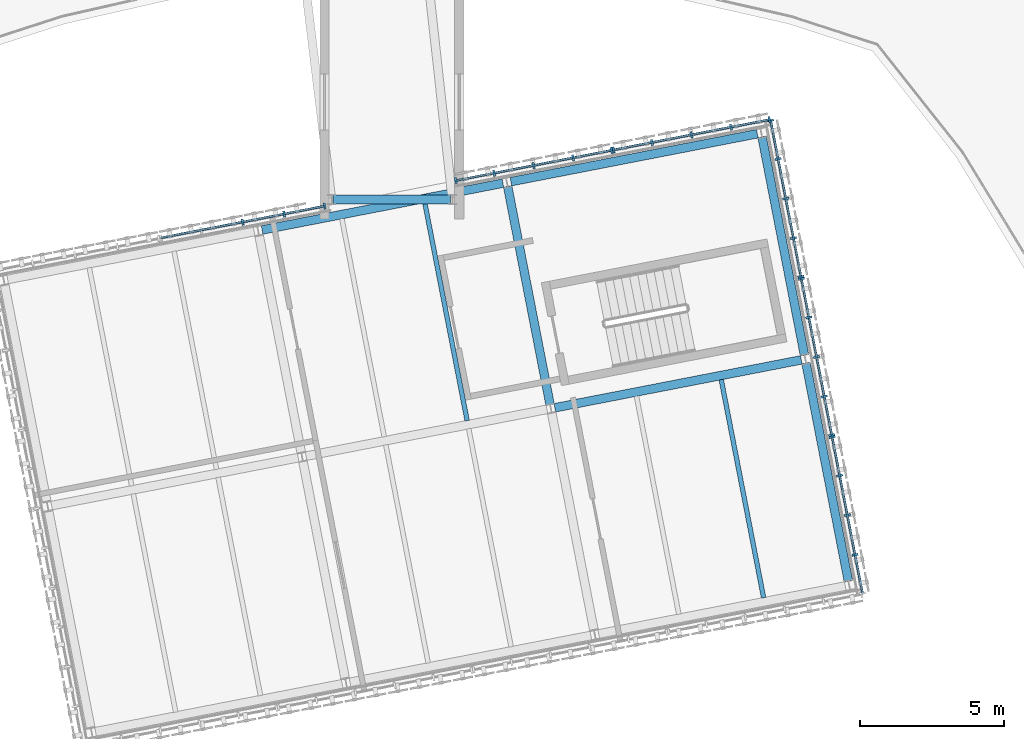
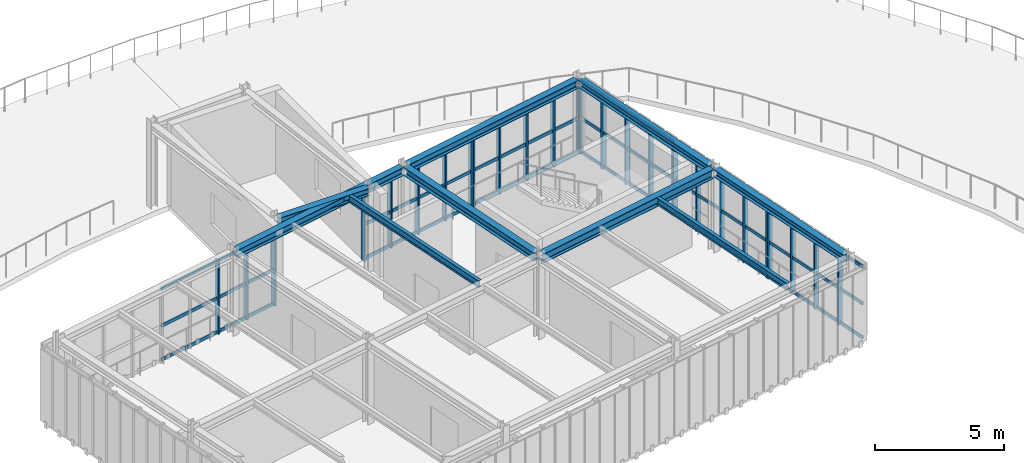
# One storey, part 23 of 59: 45 members, 9 beams, 6 elements without a shape of their own.
"""IFC4 building model written with IfcOpenShell, lengths in metres."""

from ifc_helpers import new_model, si_unit, direction, frame, origin, origin_2d, place, context, subcontext, project, spatial, rectangle, i_section, extrude, material, material_profile, profile_set, type_object, element, aggregate, save


model = new_model("IFC4")

# Units and contexts
model_context = context("Model", 3, precision=1e-05, world=origin(), true_north=direction((0.0, 1.0)))
body_context = subcontext(model_context, "Body", "Model", "MODEL_VIEW")
ifc_project = project(units=[si_unit("LENGTHUNIT", "METRE"), si_unit("AREAUNIT", "SQUARE_METRE"), si_unit("VOLUMEUNIT", "CUBIC_METRE"), si_unit("PLANEANGLEUNIT", "RADIAN"), si_unit("MASSUNIT", "GRAM", prefix="KILO")], contexts=[model_context])

# Site, building, storey
site_placement = place(None, origin())
site = spatial("IfcSite", under=ifc_project, at=site_placement, CompositionType="ELEMENT")
building_placement = place(site_placement, origin())
building = spatial("IfcBuilding", under=site, at=building_placement, Name="Varnklinge Art Gallery", CompositionType="ELEMENT")
storey_placement = place(building_placement, frame((0.0, 0.0, 9.52001953125)))
storey = spatial("IfcBuildingStorey", under=building, at=storey_placement, Name="L02", CompositionType="ELEMENT", Elevation=9.52001953125)

# Beams
ifc_material_1 = material(Name="Steel S355", Category="steel")
ifc_material_profile_1 = material_profile(ifc_material_1, i_section(OverallWidth=0.300048828125, OverallDepth=0.43994140625, WebThickness=0.011474609375, FlangeThickness=0.02099609375, FilletRadius=0.027099609375, at=origin_2d()), Name="HEA 450")
ifc_profile_set_1 = profile_set([ifc_material_profile_1], Name="Steel S355")
beam_type_1 = type_object("IfcBeamType", Name="BM-08", PredefinedType="BEAM", material=ifc_profile_set_1)
beam_1_placement = place(storey_placement, frame((79.95654296875, 73.3662109375, 3.739990234375), z_axis=(0.981628064538, 0.190804462503, 0.0), x_axis=(-0.190804462503, 0.981628064538, 0.0)))
element("IfcBeam", 1, at=beam_1_placement, inside=storey, type_object=beam_type_1, Name="L02 BM-08 BM-V4B-L03-U1-2", PredefinedType="BEAM", context=body_context, shape_type="SweptSolid", body=[
    extrude(i_section(OverallWidth=0.300048828125, OverallDepth=0.43994140625, WebThickness=0.011474609375, FlangeThickness=0.02099609375, FilletRadius=0.027099609375, at=origin_2d()), origin(), (0.0, 0.0, 1.0), 8.719970703125),
])
ifc_material_2 = material(Name="Steel S355", Category="steel")
ifc_material_profile_2 = material_profile(ifc_material_2, i_section(OverallWidth=0.300048828125, OverallDepth=0.389892578125, WebThickness=0.010986328125, FlangeThickness=0.01904296875, FilletRadius=0.027099609375, at=origin_2d()), Name="HEA 400")
ifc_profile_set_2 = profile_set([ifc_material_profile_2], Name="Steel S355")
beam_type_2 = type_object("IfcBeamType", Name="BM-09", PredefinedType="BEAM", material=ifc_profile_set_2)
beam_2_placement = place(storey_placement, frame((79.79248046875, 73.47705078125, 3.764892578125), z_axis=(-0.190822257393, 0.98162460548, 0.0), x_axis=(-0.98162460548, -0.190822257393, 0.0)))
element("IfcBeam", 2, at=beam_2_placement, inside=storey, type_object=beam_type_2, Name="L02 BM-09 BM-V4B-L03-V2-1", PredefinedType="BEAM", context=body_context, shape_type="SweptSolid", body=[
    extrude(i_section(OverallWidth=0.300048828125, OverallDepth=0.389892578125, WebThickness=0.010986328125, FlangeThickness=0.01904296875, FilletRadius=0.027099609375, at=origin_2d()), origin(), (0.0, 0.0, 1.0), 7.719970703125),
])
ifc_material_3 = material(Name="Steel S355", Category="steel")
ifc_material_profile_3 = material_profile(ifc_material_3, i_section(OverallWidth=0.300048828125, OverallDepth=0.35009765625, WebThickness=0.010009765625, FlangeThickness=0.017578125, FilletRadius=0.027099609375, at=origin_2d()), Name="HEA 360")
ifc_profile_set_3 = profile_set([ifc_material_profile_3], Name="Steel S355")
beam_type_3 = type_object("IfcBeamType", Name="BM-10", PredefinedType="BEAM", material=ifc_profile_set_3)
beam_3_placement = place(storey_placement, frame((72.260009765625, 80.60009765625, 3.784912109375), z_axis=(1.0, 0.0, 0.0), x_axis=(0.0, 1.0, 0.0)))
element("IfcBeam", 3, at=beam_3_placement, inside=storey, type_object=beam_type_3, Name="L02 BM-10 BM-LNK-V4N-ROOF-1", PredefinedType="BEAM", context=body_context, shape_type="SweptSolid", body=[
    extrude(i_section(OverallWidth=0.300048828125, OverallDepth=0.35009765625, WebThickness=0.010009765625, FlangeThickness=0.017578125, FilletRadius=0.027099609375, at=origin_2d()), origin(), (0.0, 0.0, 1.0), 4.080078125),
])
ifc_material_4 = material(Name="Steel S355", Category="steel")
ifc_material_profile_4 = material_profile(ifc_material_4, i_section(OverallWidth=0.159912109375, OverallDepth=0.330078125, WebThickness=0.007568359375, FlangeThickness=0.011474609375, FilletRadius=0.01806640625, at=origin_2d()), Name="IPE 330")
ifc_profile_set_4 = profile_set([ifc_material_profile_4], Name="Steel S355")
beam_type_4 = type_object("IfcBeamType", Name="JST-07", PredefinedType="JOIST", material=ifc_profile_set_4)
beam_4_placement = place(storey_placement, frame((76.9130859375, 72.917236328125, 3.794921875), z_axis=(-0.190816333803, 0.981625756974, 0.0), x_axis=(-0.981625756974, -0.190816333803, 0.0)))
element("IfcBeam", 4, at=beam_4_placement, inside=storey, type_object=beam_type_4, Name="L02 JST-07 JST-V4B-L03-1-1-2", PredefinedType="JOIST", context=body_context, shape_type="SweptSolid", body=[
    extrude(i_section(OverallWidth=0.159912109375, OverallDepth=0.330078125, WebThickness=0.007568359375, FlangeThickness=0.011474609375, FilletRadius=0.01806640625, at=origin_2d()), origin(), (0.0, 0.0, 1.0), 7.72021484375),
])
beam_5_placement = place(storey_placement, frame((87.208740234375, 66.768798828125, 3.794921875), z_axis=(-0.190822257393, 0.98162460548, 0.0), x_axis=(-0.98162460548, -0.190822257393, 0.0)))
element("IfcBeam", 5, at=beam_5_placement, inside=storey, type_object=beam_type_4, Name="L02 JST-07 JST-V4B-L03-2-0-2", PredefinedType="JOIST", context=body_context, shape_type="SweptSolid", body=[
    extrude(i_section(OverallWidth=0.159912109375, OverallDepth=0.330078125, WebThickness=0.007568359375, FlangeThickness=0.011474609375, FilletRadius=0.01806640625, at=origin_2d()), origin(), (0.0, 0.0, 1.0), 7.719970703125),
])

# Curtain wall, members
ifc_material_5 = material(Name="Anodised Aluminium", Category="aluminium")
curtain_wall_type_1 = type_object("IfcCurtainWallType", Name="CW-L07", PredefinedType="USERDEFINED", material=ifc_material_5)
curtain_wall_1_placement = place(storey_placement, origin())
curtain_wall_1 = element("IfcCurtainWall", 6, at=curtain_wall_1_placement, inside=storey, type_object=curtain_wall_type_1, Name="L02 Curtain Wall CW-V4B-L02-2-1-1", ObjectType="UNITISED CURTAIN WALL", PredefinedType="USERDEFINED")
ifc_material_6 = material(Name="Anodised Aluminium", Category="aluminium")
ifc_material_profile_5 = material_profile(ifc_material_6, rectangle(XDim=0.074951171875, YDim=0.219970703125, at=origin_2d()), Name="ALU 75x220")
ifc_profile_set_5 = profile_set([ifc_material_profile_5], Name="Anodised Aluminium")
member_type_1 = type_object("IfcMemberType", Name="MUL-02", PredefinedType="MULLION", material=ifc_profile_set_5)
member_1_placement = place(storey_placement, frame((90.382080078125, 68.26171875, 0.0), z_axis=(0.0, 0.0, 1.0), x_axis=(-0.190808995377, 0.981627183448, 0.0)))
member_1 = element("IfcMember", 7, at=member_1_placement, type_object=member_type_1, Name="CW-V4B-L02-2-1-1 Mullion 2", PredefinedType="MULLION", context=body_context, shape_type="SweptSolid", body=[
    extrude(rectangle(XDim=0.074951171875, YDim=0.219970703125, at=origin_2d()), origin(), (0.0, 0.0, 1.0), 3.510009765625),
])
member_2_placement = place(storey_placement, frame((90.114990234375, 69.635986328125, 0.0), z_axis=(0.0, 0.0, 1.0), x_axis=(-0.190808995377, 0.981627183448, 0.0)))
member_2 = element("IfcMember", 8, at=member_2_placement, type_object=member_type_1, Name="CW-V4B-L02-2-1-1 Mullion 3", PredefinedType="MULLION", context=body_context, shape_type="SweptSolid", body=[
    extrude(rectangle(XDim=0.074951171875, YDim=0.219970703125, at=origin_2d()), origin(), (0.0, 0.0, 1.0), 3.510009765625),
])
member_3_placement = place(storey_placement, frame((89.847900390625, 71.01025390625, 0.0), z_axis=(0.0, 0.0, 1.0), x_axis=(-0.190808995377, 0.981627183448, 0.0)))
member_3 = element("IfcMember", 9, at=member_3_placement, type_object=member_type_1, Name="CW-V4B-L02-2-1-1 Mullion 4", PredefinedType="MULLION", context=body_context, shape_type="SweptSolid", body=[
    extrude(rectangle(XDim=0.074951171875, YDim=0.219970703125, at=origin_2d()), origin(), (0.0, 0.0, 1.0), 3.510009765625),
])
member_4_placement = place(storey_placement, frame((89.587890625, 72.347900390625, 0.0), z_axis=(0.0, 0.0, 1.0), x_axis=(-0.190808995377, 0.981627183448, 0.0)))
member_4 = element("IfcMember", 10, at=member_4_placement, type_object=member_type_1, Name="CW-V4B-L02-2-1-1 Mullion 5", PredefinedType="MULLION", context=body_context, shape_type="SweptSolid", body=[
    extrude(rectangle(XDim=0.074951171875, YDim=0.219970703125, at=origin_2d()), origin(), (0.0, 0.0, 1.0), 3.510009765625),
])

curtain_wall_2_placement = place(storey_placement, origin())
curtain_wall_2 = element("IfcCurtainWall", 11, at=curtain_wall_2_placement, inside=storey, type_object=curtain_wall_type_1, Name="L02 Curtain Wall CW-V4B-L02-2-1-2", ObjectType="UNITISED CURTAIN WALL", PredefinedType="USERDEFINED")
member_5_placement = place(storey_placement, frame((89.573486328125, 72.42138671875, 0.0), z_axis=(0.0, 0.0, 1.0), x_axis=(-0.190808995377, 0.981627183448, 0.0)))
member_5 = element("IfcMember", 12, at=member_5_placement, type_object=member_type_1, Name="CW-V4B-L02-2-1-2 Mullion 1", PredefinedType="MULLION", context=body_context, shape_type="SweptSolid", body=[
    extrude(rectangle(XDim=0.074951171875, YDim=0.219970703125, at=origin_2d()), origin(), (0.0, 0.0, 1.0), 3.510009765625),
])
member_6_placement = place(storey_placement, frame((89.313720703125, 73.7587890625, 0.0), z_axis=(0.0, 0.0, 1.0), x_axis=(-0.190808995377, 0.981627183448, 0.0)))
member_6 = element("IfcMember", 13, at=member_6_placement, type_object=member_type_1, Name="CW-V4B-L02-2-1-2 Mullion 2", PredefinedType="MULLION", context=body_context, shape_type="SweptSolid", body=[
    extrude(rectangle(XDim=0.074951171875, YDim=0.219970703125, at=origin_2d()), origin(), (0.0, 0.0, 1.0), 3.510009765625),
])
member_7_placement = place(storey_placement, frame((89.04638671875, 75.13330078125, 0.0), z_axis=(0.0, 0.0, 1.0), x_axis=(-0.190808995377, 0.981627183448, 0.0)))
member_7 = element("IfcMember", 14, at=member_7_placement, type_object=member_type_1, Name="CW-V4B-L02-2-1-2 Mullion 3", PredefinedType="MULLION", context=body_context, shape_type="SweptSolid", body=[
    extrude(rectangle(XDim=0.074951171875, YDim=0.219970703125, at=origin_2d()), origin(), (0.0, 0.0, 1.0), 3.510009765625),
])
member_8_placement = place(storey_placement, frame((88.779296875, 76.50732421875, 0.0), z_axis=(0.0, 0.0, 1.0), x_axis=(-0.190808995377, 0.981627183448, 0.0)))
member_8 = element("IfcMember", 15, at=member_8_placement, type_object=member_type_1, Name="CW-V4B-L02-2-1-2 Mullion 4", PredefinedType="MULLION", context=body_context, shape_type="SweptSolid", body=[
    extrude(rectangle(XDim=0.074951171875, YDim=0.219970703125, at=origin_2d()), origin(), (0.0, 0.0, 1.0), 3.510009765625),
])
member_9_placement = place(storey_placement, frame((88.519287109375, 77.844970703125, 0.0), z_axis=(0.0, 0.0, 1.0), x_axis=(-0.190808995377, 0.981627183448, 0.0)))
member_9 = element("IfcMember", 16, at=member_9_placement, type_object=member_type_1, Name="CW-V4B-L02-2-1-2 Mullion 5", PredefinedType="MULLION", context=body_context, shape_type="SweptSolid", body=[
    extrude(rectangle(XDim=0.074951171875, YDim=0.219970703125, at=origin_2d()), origin(), (0.0, 0.0, 1.0), 3.510009765625),
])

curtain_wall_3_placement = place(storey_placement, origin())
curtain_wall_3 = element("IfcCurtainWall", 17, at=curtain_wall_3_placement, inside=storey, type_object=curtain_wall_type_1, Name="L02 Curtain Wall CW-V4B-L02-2-1-3", ObjectType="UNITISED CURTAIN WALL", PredefinedType="USERDEFINED")
member_10_placement = place(storey_placement, frame((88.5048828125, 77.91845703125, 0.0), z_axis=(0.0, 0.0, 1.0), x_axis=(-0.190808995377, 0.981627183448, 0.0)))
member_10 = element("IfcMember", 18, at=member_10_placement, type_object=member_type_1, Name="CW-V4B-L02-2-1-3 Mullion 1", PredefinedType="MULLION", context=body_context, shape_type="SweptSolid", body=[
    extrude(rectangle(XDim=0.074951171875, YDim=0.219970703125, at=origin_2d()), origin(), (0.0, 0.0, 1.0), 3.510009765625),
])
member_11_placement = place(storey_placement, frame((88.2451171875, 79.256103515625, 0.0), z_axis=(0.0, 0.0, 1.0), x_axis=(-0.190808995377, 0.981627183448, 0.0)))
member_11 = element("IfcMember", 19, at=member_11_placement, type_object=member_type_1, Name="CW-V4B-L02-2-1-3 Mullion 2", PredefinedType="MULLION", context=body_context, shape_type="SweptSolid", body=[
    extrude(rectangle(XDim=0.074951171875, YDim=0.219970703125, at=origin_2d()), origin(), (0.0, 0.0, 1.0), 3.510009765625),
])
member_12_placement = place(storey_placement, frame((87.97802734375, 80.630126953125, 0.0), z_axis=(0.0, 0.0, 1.0), x_axis=(-0.190808995377, 0.981627183448, 0.0)))
member_12 = element("IfcMember", 20, at=member_12_placement, type_object=member_type_1, Name="CW-V4B-L02-2-1-3 Mullion 3", PredefinedType="MULLION", context=body_context, shape_type="SweptSolid", body=[
    extrude(rectangle(XDim=0.074951171875, YDim=0.219970703125, at=origin_2d()), origin(), (0.0, 0.0, 1.0), 3.510009765625),
])
member_13_placement = place(storey_placement, frame((87.710693359375, 82.00439453125, 0.0), z_axis=(0.0, 0.0, 1.0), x_axis=(-0.190808995377, 0.981627183448, 0.0)))
member_13 = element("IfcMember", 21, at=member_13_placement, type_object=member_type_1, Name="CW-V4B-L02-2-1-3 Mullion 4", PredefinedType="MULLION", context=body_context, shape_type="SweptSolid", body=[
    extrude(rectangle(XDim=0.074951171875, YDim=0.219970703125, at=origin_2d()), origin(), (0.0, 0.0, 1.0), 3.510009765625),
])
member_14_placement = place(storey_placement, frame((87.450927734375, 83.342041015625, 0.0), z_axis=(0.0, 0.0, 1.0), x_axis=(-0.190808995377, 0.981627183448, 0.0)))
member_14 = element("IfcMember", 22, at=member_14_placement, type_object=member_type_1, Name="CW-V4B-L02-2-1-3 Mullion 5", PredefinedType="MULLION", context=body_context, shape_type="SweptSolid", body=[
    extrude(rectangle(XDim=0.074951171875, YDim=0.219970703125, at=origin_2d()), origin(), (0.0, 0.0, 1.0), 3.510009765625),
])

curtain_wall_4_placement = place(storey_placement, origin())
curtain_wall_4 = element("IfcCurtainWall", 23, at=curtain_wall_4_placement, inside=storey, type_object=curtain_wall_type_1, Name="L02 Curtain Wall CW-V4B-L02-3-1-1", ObjectType="UNITISED CURTAIN WALL", PredefinedType="USERDEFINED")
member_15_placement = place(storey_placement, frame((87.406982421875, 83.37158203125, 0.0), z_axis=(0.0, 0.0, 1.0), x_axis=(-0.981627183448, -0.190808995377, 0.0)))
member_15 = element("IfcMember", 24, at=member_15_placement, type_object=member_type_1, Name="CW-V4B-L02-3-1-1 Mullion 1", PredefinedType="MULLION", context=body_context, shape_type="SweptSolid", body=[
    extrude(rectangle(XDim=0.074951171875, YDim=0.219970703125, at=origin_2d()), origin(), (0.0, 0.0, 1.0), 3.510009765625),
])
member_16_placement = place(storey_placement, frame((86.0732421875, 83.1123046875, 0.0), z_axis=(0.0, 0.0, 1.0), x_axis=(-0.981627183448, -0.190808995377, 0.0)))
member_16 = element("IfcMember", 25, at=member_16_placement, type_object=member_type_1, Name="CW-V4B-L02-3-1-1 Mullion 2", PredefinedType="MULLION", context=body_context, shape_type="SweptSolid", body=[
    extrude(rectangle(XDim=0.074951171875, YDim=0.219970703125, at=origin_2d()), origin(), (0.0, 0.0, 1.0), 3.510009765625),
])
member_17_placement = place(storey_placement, frame((84.702880859375, 82.845947265625, 0.0), z_axis=(0.0, 0.0, 1.0), x_axis=(-0.981627183448, -0.190808995377, 0.0)))
member_17 = element("IfcMember", 26, at=member_17_placement, type_object=member_type_1, Name="CW-V4B-L02-3-1-1 Mullion 3", PredefinedType="MULLION", context=body_context, shape_type="SweptSolid", body=[
    extrude(rectangle(XDim=0.074951171875, YDim=0.219970703125, at=origin_2d()), origin(), (0.0, 0.0, 1.0), 3.510009765625),
])
member_18_placement = place(storey_placement, frame((83.332275390625, 82.57958984375, 0.0), z_axis=(0.0, 0.0, 1.0), x_axis=(-0.981627183448, -0.190808995377, 0.0)))
member_18 = element("IfcMember", 27, at=member_18_placement, type_object=member_type_1, Name="CW-V4B-L02-3-1-1 Mullion 4", PredefinedType="MULLION", context=body_context, shape_type="SweptSolid", body=[
    extrude(rectangle(XDim=0.074951171875, YDim=0.219970703125, at=origin_2d()), origin(), (0.0, 0.0, 1.0), 3.510009765625),
])
member_19_placement = place(storey_placement, frame((81.99853515625, 82.3203125, 0.0), z_axis=(0.0, 0.0, 1.0), x_axis=(-0.981627183448, -0.190808995377, 0.0)))
member_19 = element("IfcMember", 28, at=member_19_placement, type_object=member_type_1, Name="CW-V4B-L02-3-1-1 Mullion 5", PredefinedType="MULLION", context=body_context, shape_type="SweptSolid", body=[
    extrude(rectangle(XDim=0.074951171875, YDim=0.219970703125, at=origin_2d()), origin(), (0.0, 0.0, 1.0), 3.510009765625),
])

curtain_wall_5_placement = place(storey_placement, origin())
curtain_wall_5 = element("IfcCurtainWall", 29, at=curtain_wall_5_placement, inside=storey, type_object=curtain_wall_type_1, Name="L02 Curtain Wall CW-V4B-L02-3-1-2", ObjectType="UNITISED CURTAIN WALL", PredefinedType="USERDEFINED")
member_20_placement = place(storey_placement, frame((81.925048828125, 82.305908203125, 0.0), z_axis=(0.0, 0.0, 1.0), x_axis=(-0.981627183448, -0.190808995377, 0.0)))
member_20 = element("IfcMember", 30, at=member_20_placement, type_object=member_type_1, Name="CW-V4B-L02-3-1-2 Mullion 1", PredefinedType="MULLION", context=body_context, shape_type="SweptSolid", body=[
    extrude(rectangle(XDim=0.074951171875, YDim=0.219970703125, at=origin_2d()), origin(), (0.0, 0.0, 1.0), 3.510009765625),
])
member_21_placement = place(storey_placement, frame((80.59130859375, 82.046875, 0.0), z_axis=(0.0, 0.0, 1.0), x_axis=(-0.981627183448, -0.190808995377, 0.0)))
member_21 = element("IfcMember", 31, at=member_21_placement, type_object=member_type_1, Name="CW-V4B-L02-3-1-2 Mullion 2", PredefinedType="MULLION", context=body_context, shape_type="SweptSolid", body=[
    extrude(rectangle(XDim=0.074951171875, YDim=0.219970703125, at=origin_2d()), origin(), (0.0, 0.0, 1.0), 3.510009765625),
])
member_22_placement = place(storey_placement, frame((79.220947265625, 81.780517578125, 0.0), z_axis=(0.0, 0.0, 1.0), x_axis=(-0.981627183448, -0.190808995377, 0.0)))
member_22 = element("IfcMember", 32, at=member_22_placement, type_object=member_type_1, Name="CW-V4B-L02-3-1-2 Mullion 3", PredefinedType="MULLION", context=body_context, shape_type="SweptSolid", body=[
    extrude(rectangle(XDim=0.074951171875, YDim=0.219970703125, at=origin_2d()), origin(), (0.0, 0.0, 1.0), 3.510009765625),
])
member_23_placement = place(storey_placement, frame((77.850341796875, 81.51416015625, 0.0), z_axis=(0.0, 0.0, 1.0), x_axis=(-0.981627183448, -0.190808995377, 0.0)))
member_23 = element("IfcMember", 33, at=member_23_placement, type_object=member_type_1, Name="CW-V4B-L02-3-1-2 Mullion 4", PredefinedType="MULLION", context=body_context, shape_type="SweptSolid", body=[
    extrude(rectangle(XDim=0.074951171875, YDim=0.219970703125, at=origin_2d()), origin(), (0.0, 0.0, 1.0), 3.510009765625),
])
member_24_placement = place(storey_placement, frame((76.516845703125, 81.2548828125, 0.0), z_axis=(0.0, 0.0, 1.0), x_axis=(-0.981627183448, -0.190808995377, 0.0)))
member_24 = element("IfcMember", 34, at=member_24_placement, type_object=member_type_1, Name="CW-V4B-L02-3-1-2 Mullion 5", PredefinedType="MULLION", context=body_context, shape_type="SweptSolid", body=[
    extrude(rectangle(XDim=0.074951171875, YDim=0.219970703125, at=origin_2d()), origin(), (0.0, 0.0, 1.0), 3.510009765625),
])

ifc_material_7 = material(Name="Anodised Aluminium", Category="aluminium")
curtain_wall_type_2 = type_object("IfcCurtainWallType", Name="CW-L03", PredefinedType="USERDEFINED", material=ifc_material_7)
curtain_wall_6_placement = place(storey_placement, origin())
curtain_wall_6 = element("IfcCurtainWall", 35, at=curtain_wall_6_placement, inside=storey, type_object=curtain_wall_type_2, Name="L02 Curtain Wall CW-V4B-L02-3-2-1", ObjectType="UNITISED CURTAIN WALL", PredefinedType="USERDEFINED")
member_25_placement = place(storey_placement, frame((71.963134765625, 80.36962890625, 0.0), z_axis=(0.0, 0.0, 1.0), x_axis=(-0.981627183448, -0.190808995377, 0.0)))
member_25 = element("IfcMember", 36, at=member_25_placement, type_object=member_type_1, Name="CW-V4B-L02-3-2-1 Mullion 1", PredefinedType="MULLION", context=body_context, shape_type="SweptSolid", body=[
    extrude(rectangle(XDim=0.074951171875, YDim=0.219970703125, at=origin_2d()), origin(), (0.0, 0.0, 1.0), 3.510009765625),
])
member_26_placement = place(storey_placement, frame((70.558837890625, 80.0966796875, 0.0), z_axis=(0.0, 0.0, 1.0), x_axis=(-0.981627183448, -0.190808995377, 0.0)))
member_26 = element("IfcMember", 37, at=member_26_placement, type_object=member_type_1, Name="CW-V4B-L02-3-2-1 Mullion 2", PredefinedType="MULLION", context=body_context, shape_type="SweptSolid", body=[
    extrude(rectangle(XDim=0.074951171875, YDim=0.219970703125, at=origin_2d()), origin(), (0.0, 0.0, 1.0), 3.510009765625),
])
member_27_placement = place(storey_placement, frame((69.11767578125, 79.816650390625, 0.0), z_axis=(0.0, 0.0, 1.0), x_axis=(-0.981627183448, -0.190808995377, 0.0)))
member_27 = element("IfcMember", 38, at=member_27_placement, type_object=member_type_1, Name="CW-V4B-L02-3-2-1 Mullion 3", PredefinedType="MULLION", context=body_context, shape_type="SweptSolid", body=[
    extrude(rectangle(XDim=0.074951171875, YDim=0.219970703125, at=origin_2d()), origin(), (0.0, 0.0, 1.0), 3.510009765625),
])

# Beams
ifc_material_8 = material(Name="Steel S355", Category="steel")
ifc_material_profile_6 = material_profile(ifc_material_8, i_section(OverallWidth=0.300048828125, OverallDepth=0.389892578125, WebThickness=0.010986328125, FlangeThickness=0.01904296875, FilletRadius=0.027099609375, at=origin_2d()), Name="HEA 400")
ifc_profile_set_6 = profile_set([ifc_material_profile_6], Name="Steel S355")
beam_type_5 = type_object("IfcBeamType", Name="SPB-03", PredefinedType="SPANDREL", material=ifc_profile_set_6)
beam_6_placement = place(storey_placement, frame((69.791748046875, 79.540283203125, 3.764892578125), z_axis=(0.981626572932, 0.190812136181, 0.0), x_axis=(-0.190812136181, 0.981626572932, 0.0)))
element("IfcBeam", 39, at=beam_6_placement, inside=storey, type_object=beam_type_5, Name="L02 SPB-03 BM-V4B-L03-U2-1", PredefinedType="SPANDREL", context=body_context, shape_type="SweptSolid", body=[
    extrude(i_section(OverallWidth=0.300048828125, OverallDepth=0.389892578125, WebThickness=0.010986328125, FlangeThickness=0.01904296875, FilletRadius=0.027099609375, at=origin_2d()), origin(), (0.0, 0.0, 1.0), 8.52001953125),
])
beam_7_placement = place(storey_placement, frame((78.43017578125, 81.21923828125, 3.764892578125), z_axis=(0.98162282025, 0.190831440713, 0.0), x_axis=(-0.190831440713, 0.98162282025, 0.0)))
element("IfcBeam", 40, at=beam_7_placement, inside=storey, type_object=beam_type_5, Name="L02 SPB-03 BM-V4B-L03-U2-2", PredefinedType="SPANDREL", context=body_context, shape_type="SweptSolid", body=[
    extrude(i_section(OverallWidth=0.300048828125, OverallDepth=0.389892578125, WebThickness=0.010986328125, FlangeThickness=0.01904296875, FilletRadius=0.027099609375, at=origin_2d()), origin(), (0.0, 0.0, 1.0), 8.719970703125),
])
ifc_material_9 = material(Name="Steel S355", Category="steel")
ifc_material_profile_7 = material_profile(ifc_material_9, i_section(OverallWidth=0.300048828125, OverallDepth=0.35009765625, WebThickness=0.010009765625, FlangeThickness=0.017578125, FilletRadius=0.027099609375, at=origin_2d()), Name="HEA 360")
ifc_profile_set_7 = profile_set([ifc_material_profile_7], Name="Steel S355")
beam_type_6 = type_object("IfcBeamType", Name="SPB-04", PredefinedType="SPANDREL", material=ifc_profile_set_7)
beam_8_placement = place(storey_placement, frame((90.153564453125, 67.34130859375, 3.784912109375), z_axis=(-0.190822257393, 0.98162460548, 0.0), x_axis=(-0.98162460548, -0.190822257393, 0.0)))
element("IfcBeam", 41, at=beam_8_placement, inside=storey, type_object=beam_type_6, Name="L02 SPB-04 BM-V4B-L03-V3-0", PredefinedType="SPANDREL", context=body_context, shape_type="SweptSolid", body=[
    extrude(i_section(OverallWidth=0.300048828125, OverallDepth=0.35009765625, WebThickness=0.010009765625, FlangeThickness=0.017578125, FilletRadius=0.027099609375, at=origin_2d()), origin(), (0.0, 0.0, 1.0), 7.719970703125),
])
beam_9_placement = place(storey_placement, frame((88.627197265625, 75.194091796875, 3.784912109375), z_axis=(-0.190816333803, 0.981625756974, 0.0), x_axis=(-0.981625756974, -0.190816333803, 0.0)))
element("IfcBeam", 42, at=beam_9_placement, inside=storey, type_object=beam_type_6, Name="L02 SPB-04 BM-V4B-L03-V3-1", PredefinedType="SPANDREL", context=body_context, shape_type="SweptSolid", body=[
    extrude(i_section(OverallWidth=0.300048828125, OverallDepth=0.35009765625, WebThickness=0.010009765625, FlangeThickness=0.017578125, FilletRadius=0.027099609375, at=origin_2d()), origin(), (0.0, 0.0, 1.0), 7.72021484375),
])

# Member
ifc_material_10 = material(Name="Anodised Aluminium", Category="aluminium")
ifc_material_profile_8 = material_profile(ifc_material_10, rectangle(XDim=0.06494140625, YDim=0.14990234375, at=origin_2d()), Name="ALU 65x150")
ifc_profile_set_8 = profile_set([ifc_material_profile_8], Name="Anodised Aluminium")
member_type_2 = type_object("IfcMemberType", Name="TRN-01", PredefinedType="USERDEFINED", material=ifc_profile_set_8)
member_28_placement = place(storey_placement, frame((90.64208984375, 66.92431640625, 0.074951171875), z_axis=(-0.190802243749, 0.981628495807, 0.0), x_axis=(-0.981628495807, -0.190802243749, 0.0)))
member_28 = element("IfcMember", 43, at=member_28_placement, type_object=member_type_2, Name="CW-V4B-L02-2-1-1 Transom 1", ObjectType="TRANSOM", PredefinedType="USERDEFINED", context=body_context, shape_type="SweptSolid", body=[
    extrude(rectangle(XDim=0.06494140625, YDim=0.14990234375, at=origin_2d()), origin(), (0.0, 0.0, 1.0), 5.525146484375),
])

member_29_placement = place(storey_placement, frame((90.64208984375, 66.92431640625, 1.684814453125), z_axis=(-0.190802243749, 0.981628495807, 0.0), x_axis=(-0.981628495807, -0.190802243749, 0.0)))
member_29 = element("IfcMember", 44, at=member_29_placement, type_object=member_type_2, Name="CW-V4B-L02-2-1-1 Transom 2", ObjectType="TRANSOM", PredefinedType="USERDEFINED", context=body_context, shape_type="SweptSolid", body=[
    extrude(rectangle(XDim=0.06494140625, YDim=0.14990234375, at=origin_2d()), origin(), (0.0, 0.0, 1.0), 5.525146484375),
])

member_30_placement = place(storey_placement, frame((90.64208984375, 66.92431640625, 3.43505859375), z_axis=(-0.190802243749, 0.981628495807, 0.0), x_axis=(-0.981628495807, -0.190802243749, 0.0)))
member_30 = element("IfcMember", 45, at=member_30_placement, type_object=member_type_2, Name="CW-V4B-L02-2-1-1 Transom 3", ObjectType="TRANSOM", PredefinedType="USERDEFINED", context=body_context, shape_type="SweptSolid", body=[
    extrude(rectangle(XDim=0.06494140625, YDim=0.14990234375, at=origin_2d()), origin(), (0.0, 0.0, 1.0), 5.525146484375),
])

aggregate(curtain_wall_1, [member_1, member_2, member_3, member_4, member_28, member_29, member_30])

member_31_placement = place(storey_placement, frame((89.573486328125, 72.42138671875, 0.074951171875), z_axis=(-0.190802243749, 0.981628495807, 0.0), x_axis=(-0.981628495807, -0.190802243749, 0.0)))
member_31 = element("IfcMember", 46, at=member_31_placement, type_object=member_type_2, Name="CW-V4B-L02-2-1-2 Transom 1", ObjectType="TRANSOM", PredefinedType="USERDEFINED", context=body_context, shape_type="SweptSolid", body=[
    extrude(rectangle(XDim=0.06494140625, YDim=0.14990234375, at=origin_2d()), origin(), (0.0, 0.0, 1.0), 5.525146484375),
])

member_32_placement = place(storey_placement, frame((89.573486328125, 72.42138671875, 1.684814453125), z_axis=(-0.190802243749, 0.981628495807, 0.0), x_axis=(-0.981628495807, -0.190802243749, 0.0)))
member_32 = element("IfcMember", 47, at=member_32_placement, type_object=member_type_2, Name="CW-V4B-L02-2-1-2 Transom 2", ObjectType="TRANSOM", PredefinedType="USERDEFINED", context=body_context, shape_type="SweptSolid", body=[
    extrude(rectangle(XDim=0.06494140625, YDim=0.14990234375, at=origin_2d()), origin(), (0.0, 0.0, 1.0), 5.525146484375),
])

member_33_placement = place(storey_placement, frame((89.573486328125, 72.42138671875, 3.43505859375), z_axis=(-0.190802243749, 0.981628495807, 0.0), x_axis=(-0.981628495807, -0.190802243749, 0.0)))
member_33 = element("IfcMember", 48, at=member_33_placement, type_object=member_type_2, Name="CW-V4B-L02-2-1-2 Transom 3", ObjectType="TRANSOM", PredefinedType="USERDEFINED", context=body_context, shape_type="SweptSolid", body=[
    extrude(rectangle(XDim=0.06494140625, YDim=0.14990234375, at=origin_2d()), origin(), (0.0, 0.0, 1.0), 5.525146484375),
])

aggregate(curtain_wall_2, [member_5, member_6, member_7, member_8, member_9, member_31, member_32, member_33])

member_34_placement = place(storey_placement, frame((88.5048828125, 77.91845703125, 0.074951171875), z_axis=(-0.190759664241, 0.981636771163, 0.0), x_axis=(-0.981636771163, -0.190759664241, 0.0)))
member_34 = element("IfcMember", 49, at=member_34_placement, type_object=member_type_2, Name="CW-V4B-L02-2-1-3 Transom 1", ObjectType="TRANSOM", PredefinedType="USERDEFINED", context=body_context, shape_type="SweptSolid", body=[
    extrude(rectangle(XDim=0.06494140625, YDim=0.14990234375, at=origin_2d()), origin(), (0.0, 0.0, 1.0), 5.525146484375),
])

member_35_placement = place(storey_placement, frame((88.5048828125, 77.91845703125, 1.684814453125), z_axis=(-0.190759664241, 0.981636771163, 0.0), x_axis=(-0.981636771163, -0.190759664241, 0.0)))
member_35 = element("IfcMember", 50, at=member_35_placement, type_object=member_type_2, Name="CW-V4B-L02-2-1-3 Transom 2", ObjectType="TRANSOM", PredefinedType="USERDEFINED", context=body_context, shape_type="SweptSolid", body=[
    extrude(rectangle(XDim=0.06494140625, YDim=0.14990234375, at=origin_2d()), origin(), (0.0, 0.0, 1.0), 5.525146484375),
])

member_36_placement = place(storey_placement, frame((88.5048828125, 77.91845703125, 3.43505859375), z_axis=(-0.190759664241, 0.981636771163, 0.0), x_axis=(-0.981636771163, -0.190759664241, 0.0)))
member_36 = element("IfcMember", 51, at=member_36_placement, type_object=member_type_2, Name="CW-V4B-L02-2-1-3 Transom 3", ObjectType="TRANSOM", PredefinedType="USERDEFINED", context=body_context, shape_type="SweptSolid", body=[
    extrude(rectangle(XDim=0.06494140625, YDim=0.14990234375, at=origin_2d()), origin(), (0.0, 0.0, 1.0), 5.525146484375),
])

aggregate(curtain_wall_3, [member_10, member_11, member_12, member_13, member_14, member_34, member_35, member_36])

member_37_placement = place(storey_placement, frame((87.406982421875, 83.37158203125, 0.074951171875), z_axis=(-0.981628071403, -0.190804427186, 0.0), x_axis=(0.190804427186, -0.981628071403, 0.0)))
member_37 = element("IfcMember", 52, at=member_37_placement, type_object=member_type_2, Name="CW-V4B-L02-3-1-1 Transom 1", ObjectType="TRANSOM", PredefinedType="USERDEFINED", context=body_context, shape_type="SweptSolid", body=[
    extrude(rectangle(XDim=0.06494140625, YDim=0.14990234375, at=origin_2d()), origin(), (0.0, 0.0, 1.0), 5.509765625),
])

member_38_placement = place(storey_placement, frame((87.406982421875, 83.37158203125, 1.684814453125), z_axis=(-0.981628071403, -0.190804427186, 0.0), x_axis=(0.190804427186, -0.981628071403, 0.0)))
member_38 = element("IfcMember", 53, at=member_38_placement, type_object=member_type_2, Name="CW-V4B-L02-3-1-1 Transom 2", ObjectType="TRANSOM", PredefinedType="USERDEFINED", context=body_context, shape_type="SweptSolid", body=[
    extrude(rectangle(XDim=0.06494140625, YDim=0.14990234375, at=origin_2d()), origin(), (0.0, 0.0, 1.0), 5.509765625),
])

member_39_placement = place(storey_placement, frame((87.406982421875, 83.37158203125, 3.43505859375), z_axis=(-0.981628071403, -0.190804427186, 0.0), x_axis=(0.190804427186, -0.981628071403, 0.0)))
member_39 = element("IfcMember", 54, at=member_39_placement, type_object=member_type_2, Name="CW-V4B-L02-3-1-1 Transom 3", ObjectType="TRANSOM", PredefinedType="USERDEFINED", context=body_context, shape_type="SweptSolid", body=[
    extrude(rectangle(XDim=0.06494140625, YDim=0.14990234375, at=origin_2d()), origin(), (0.0, 0.0, 1.0), 5.509765625),
])

aggregate(curtain_wall_4, [member_15, member_16, member_17, member_18, member_19, member_37, member_38, member_39])

member_40_placement = place(storey_placement, frame((81.925048828125, 82.305908203125, 0.074951171875), z_axis=(-0.981634757396, -0.190770026661, 0.0), x_axis=(0.190770026661, -0.981634757396, 0.0)))
member_40 = element("IfcMember", 55, at=member_40_placement, type_object=member_type_2, Name="CW-V4B-L02-3-1-2 Transom 1", ObjectType="TRANSOM", PredefinedType="USERDEFINED", context=body_context, shape_type="SweptSolid", body=[
    extrude(rectangle(XDim=0.06494140625, YDim=0.14990234375, at=origin_2d()), origin(), (0.0, 0.0, 1.0), 5.50927734375),
])

member_41_placement = place(storey_placement, frame((81.925048828125, 82.305908203125, 1.684814453125), z_axis=(-0.981634757396, -0.190770026661, 0.0), x_axis=(0.190770026661, -0.981634757396, 0.0)))
member_41 = element("IfcMember", 56, at=member_41_placement, type_object=member_type_2, Name="CW-V4B-L02-3-1-2 Transom 2", ObjectType="TRANSOM", PredefinedType="USERDEFINED", context=body_context, shape_type="SweptSolid", body=[
    extrude(rectangle(XDim=0.06494140625, YDim=0.14990234375, at=origin_2d()), origin(), (0.0, 0.0, 1.0), 5.50927734375),
])

member_42_placement = place(storey_placement, frame((81.925048828125, 82.305908203125, 3.43505859375), z_axis=(-0.981634757396, -0.190770026661, 0.0), x_axis=(0.190770026661, -0.981634757396, 0.0)))
member_42 = element("IfcMember", 57, at=member_42_placement, type_object=member_type_2, Name="CW-V4B-L02-3-1-2 Transom 3", ObjectType="TRANSOM", PredefinedType="USERDEFINED", context=body_context, shape_type="SweptSolid", body=[
    extrude(rectangle(XDim=0.06494140625, YDim=0.14990234375, at=origin_2d()), origin(), (0.0, 0.0, 1.0), 5.50927734375),
])

aggregate(curtain_wall_5, [member_20, member_21, member_22, member_23, member_24, member_40, member_41, member_42])

member_43_placement = place(storey_placement, frame((71.963134765625, 80.36962890625, 0.074951171875), z_axis=(-0.981635109838, -0.190768213109, 0.0), x_axis=(0.190768213109, -0.981635109838, 0.0)))
member_43 = element("IfcMember", 58, at=member_43_placement, type_object=member_type_2, Name="CW-V4B-L02-3-2-1 Transom 1", ObjectType="TRANSOM", PredefinedType="USERDEFINED", context=body_context, shape_type="SweptSolid", body=[
    extrude(rectangle(XDim=0.06494140625, YDim=0.14990234375, at=origin_2d()), origin(), (0.0, 0.0, 1.0), 5.79736328125),
])

member_44_placement = place(storey_placement, frame((71.963134765625, 80.36962890625, 1.684814453125), z_axis=(-0.981635109838, -0.190768213109, 0.0), x_axis=(0.190768213109, -0.981635109838, 0.0)))
member_44 = element("IfcMember", 59, at=member_44_placement, type_object=member_type_2, Name="CW-V4B-L02-3-2-1 Transom 2", ObjectType="TRANSOM", PredefinedType="USERDEFINED", context=body_context, shape_type="SweptSolid", body=[
    extrude(rectangle(XDim=0.06494140625, YDim=0.14990234375, at=origin_2d()), origin(), (0.0, 0.0, 1.0), 5.79736328125),
])

member_45_placement = place(storey_placement, frame((71.963134765625, 80.36962890625, 3.43505859375), z_axis=(-0.981635109838, -0.190768213109, 0.0), x_axis=(0.190768213109, -0.981635109838, 0.0)))
member_45 = element("IfcMember", 60, at=member_45_placement, type_object=member_type_2, Name="CW-V4B-L02-3-2-1 Transom 3", ObjectType="TRANSOM", PredefinedType="USERDEFINED", context=body_context, shape_type="SweptSolid", body=[
    extrude(rectangle(XDim=0.06494140625, YDim=0.14990234375, at=origin_2d()), origin(), (0.0, 0.0, 1.0), 5.79736328125),
])

aggregate(curtain_wall_6, [member_25, member_26, member_27, member_43, member_44, member_45])

save(model, "model.ifc")
